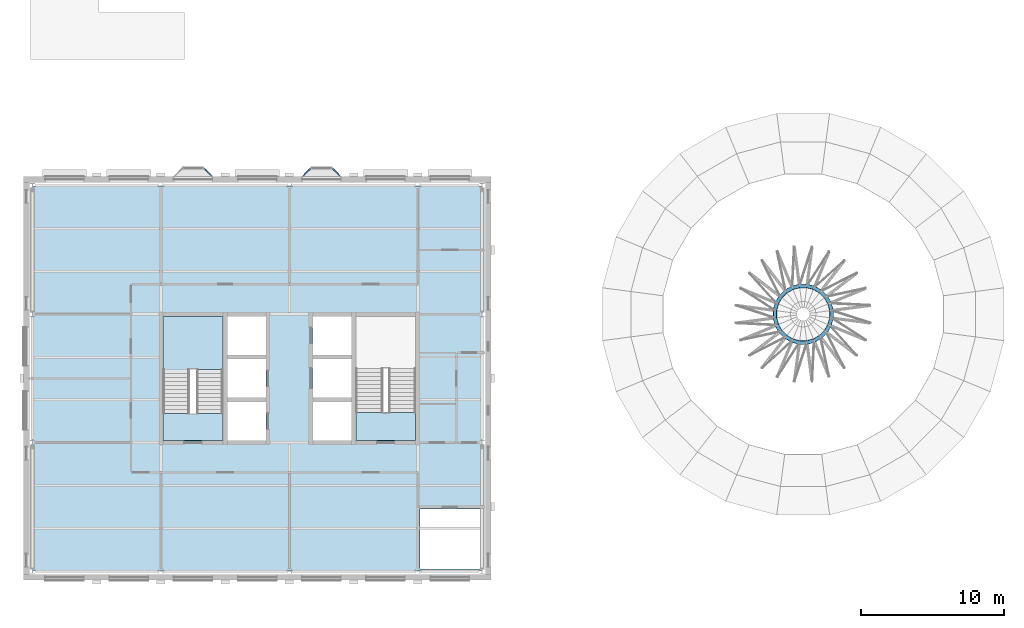
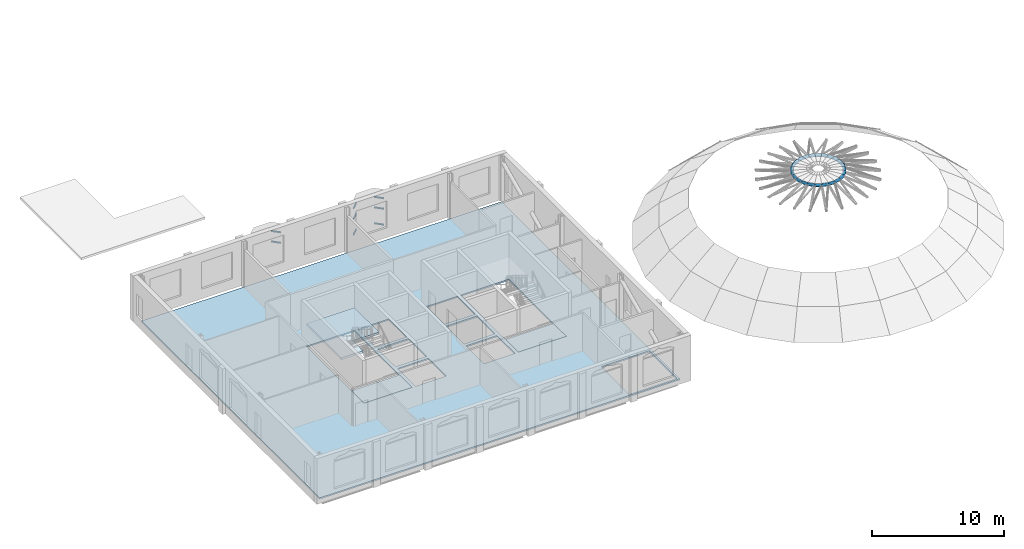
# One storey, part 4 of 15: 32 members, 4 slabs, 4 elements without a shape of their own.
"""IFC4 building model written with IfcOpenShell, lengths in metres."""

from ifc_helpers import new_model, si_unit, direction, frame, origin, origin_2d, place, context, subcontext, project, spatial, polyline, rectangle, hollow_circle, outline, extrude, material, layer, layer_set, material_profile, profile_set, type_object, element, aggregate, save


model = new_model("IFC4")

# Units and contexts
model_context = context("Model", 3, precision=1e-05, world=origin(), true_north=direction((0.0, 1.0)))
body_context = subcontext(model_context, "Body", "Model", "MODEL_VIEW")
ifc_project = project(units=[si_unit("LENGTHUNIT", "METRE"), si_unit("AREAUNIT", "SQUARE_METRE"), si_unit("VOLUMEUNIT", "CUBIC_METRE"), si_unit("PLANEANGLEUNIT", "RADIAN"), si_unit("MASSUNIT", "GRAM", prefix="KILO")], contexts=[model_context])

# Site, building, storey
site_placement = place(None, origin())
site = spatial("IfcSite", under=ifc_project, at=site_placement, CompositionType="ELEMENT")
building_placement = place(site_placement, origin())
building = spatial("IfcBuilding", under=site, at=building_placement, Name="Hortulan Conservatory and Botanical Research Centre", CompositionType="ELEMENT")
storey_placement = place(building_placement, frame((0.0, 0.0, 23.39990234375)))
storey = spatial("IfcBuildingStorey", under=building, at=storey_placement, Name="L05", CompositionType="ELEMENT", Elevation=23.39990234375)

# Curtain wall, members
ifc_material_1 = material(Name="Bronze-finished aluminium", Category="aluminium")
ifc_layer_1 = layer(ifc_material_1, 0.10009765625)
ifc_layer_set_1 = layer_set([ifc_layer_1], Name="Oriel Curtain Wall 1350 module")
curtain_wall_type = type_object("IfcCurtainWallType", Name="Oriel Curtain Wall 1350 module", PredefinedType="NOTDEFINED", material=ifc_layer_set_1)
curtain_wall_1_placement = place(storey_placement, origin())
curtain_wall_1 = element("IfcCurtainWall", 1, at=curtain_wall_1_placement, inside=storey, type_object=curtain_wall_type, Name="Oriel glazing", PredefinedType="NOTDEFINED")
ifc_material_profile_1 = material_profile(ifc_material_1, rectangle(XDim=0.06005859375, YDim=0.1201171875, at=origin_2d()), Name="Bronze Transom 60x120")
ifc_profile_set_1 = profile_set([ifc_material_profile_1], Name="Bronze-finished aluminium")
member_type_1 = type_object("IfcMemberType", Name="Bronze Transom 60x120", PredefinedType="USERDEFINED", material=ifc_profile_set_1)
member_1_placement = place(storey_placement, frame((12.04248046875, 28.193603515625, 2.400146484375), z_axis=(0.707106781187, -0.707106781187, 0.0), x_axis=(0.707106781187, 0.707106781187, 0.0)))
member_1 = element("IfcMember", 2, at=member_1_placement, type_object=member_type_1, Name="CW2 transom 1.2", ObjectType="TRANSOM", PredefinedType="USERDEFINED", context=body_context, shape_type="SweptSolid", body=[
    extrude(rectangle(XDim=0.06005859375, YDim=0.1201171875, at=origin_2d()), origin(), (0.0, 0.0, 1.0), 0.728515625),
])
member_2_placement = place(storey_placement, frame((12.04248046875, 28.193603515625, 3.3701171875), z_axis=(0.707106781187, -0.707106781187, 0.0), x_axis=(0.707106781187, 0.707106781187, 0.0)))
member_2 = element("IfcMember", 3, at=member_2_placement, type_object=member_type_1, Name="CW2 transom 1.3", ObjectType="TRANSOM", PredefinedType="USERDEFINED", context=body_context, shape_type="SweptSolid", body=[
    extrude(rectangle(XDim=0.06005859375, YDim=0.1201171875, at=origin_2d()), origin(), (0.0, 0.0, 1.0), 0.728515625),
])
aggregate(curtain_wall_1, [member_1, member_2])

curtain_wall_2_placement = place(storey_placement, origin())
curtain_wall_2 = element("IfcCurtainWall", 4, at=curtain_wall_2_placement, inside=storey, type_object=curtain_wall_type, Name="Oriel glazing", PredefinedType="NOTDEFINED")
member_3_placement = place(storey_placement, frame((18.9423828125, 27.678466796875, 0.93017578125), z_axis=(0.707106781187, 0.707106781187, 0.0), x_axis=(-0.707106781187, 0.707106781187, 0.0)))
member_3 = element("IfcMember", 5, at=member_3_placement, type_object=member_type_1, Name="CW2 transom 1.1", ObjectType="TRANSOM", PredefinedType="USERDEFINED", context=body_context, shape_type="SweptSolid", body=[
    extrude(rectangle(XDim=0.06005859375, YDim=0.1201171875, at=origin_2d()), origin(), (0.0, 0.0, 1.0), 0.728515625),
])
member_4_placement = place(storey_placement, frame((18.9423828125, 27.678466796875, 2.400146484375), z_axis=(0.707106781187, 0.707106781187, 0.0), x_axis=(-0.707106781187, 0.707106781187, 0.0)))
member_4 = element("IfcMember", 6, at=member_4_placement, type_object=member_type_1, Name="CW2 transom 1.2", ObjectType="TRANSOM", PredefinedType="USERDEFINED", context=body_context, shape_type="SweptSolid", body=[
    extrude(rectangle(XDim=0.06005859375, YDim=0.1201171875, at=origin_2d()), origin(), (0.0, 0.0, 1.0), 0.728515625),
])
member_5_placement = place(storey_placement, frame((18.9423828125, 27.678466796875, 3.3701171875), z_axis=(0.707106781187, 0.707106781187, 0.0), x_axis=(-0.707106781187, 0.707106781187, 0.0)))
member_5 = element("IfcMember", 7, at=member_5_placement, type_object=member_type_1, Name="CW2 transom 1.3", ObjectType="TRANSOM", PredefinedType="USERDEFINED", context=body_context, shape_type="SweptSolid", body=[
    extrude(rectangle(XDim=0.06005859375, YDim=0.1201171875, at=origin_2d()), origin(), (0.0, 0.0, 1.0), 0.728515625),
])
aggregate(curtain_wall_2, [member_3, member_4, member_5])

curtain_wall_3_placement = place(storey_placement, origin())
curtain_wall_3 = element("IfcCurtainWall", 8, at=curtain_wall_3_placement, inside=storey, type_object=curtain_wall_type, Name="Oriel glazing", PredefinedType="NOTDEFINED")
member_6_placement = place(storey_placement, frame((21.04248046875, 28.193603515625, 0.93017578125), z_axis=(0.707106781187, -0.707106781187, 0.0), x_axis=(0.707106781187, 0.707106781187, 0.0)))
member_6 = element("IfcMember", 9, at=member_6_placement, type_object=member_type_1, Name="CW2 transom 1.1", ObjectType="TRANSOM", PredefinedType="USERDEFINED", context=body_context, shape_type="SweptSolid", body=[
    extrude(rectangle(XDim=0.06005859375, YDim=0.1201171875, at=origin_2d()), origin(), (0.0, 0.0, 1.0), 0.728515625),
])
member_7_placement = place(storey_placement, frame((21.04248046875, 28.193603515625, 2.400146484375), z_axis=(0.707106781187, -0.707106781187, 0.0), x_axis=(0.707106781187, 0.707106781187, 0.0)))
member_7 = element("IfcMember", 10, at=member_7_placement, type_object=member_type_1, Name="CW2 transom 1.2", ObjectType="TRANSOM", PredefinedType="USERDEFINED", context=body_context, shape_type="SweptSolid", body=[
    extrude(rectangle(XDim=0.06005859375, YDim=0.1201171875, at=origin_2d()), origin(), (0.0, 0.0, 1.0), 0.728515625),
])
member_8_placement = place(storey_placement, frame((21.04248046875, 28.193603515625, 3.3701171875), z_axis=(0.707106781187, -0.707106781187, 0.0), x_axis=(0.707106781187, 0.707106781187, 0.0)))
member_8 = element("IfcMember", 11, at=member_8_placement, type_object=member_type_1, Name="CW2 transom 1.3", ObjectType="TRANSOM", PredefinedType="USERDEFINED", context=body_context, shape_type="SweptSolid", body=[
    extrude(rectangle(XDim=0.06005859375, YDim=0.1201171875, at=origin_2d()), origin(), (0.0, 0.0, 1.0), 0.728515625),
])
aggregate(curtain_wall_3, [member_6, member_7, member_8])

# Members
ifc_material_2 = material(Name="Steel Grade C350L0 (350 MPa, AS/NZS 1163)", Category="steel")
ifc_material_profile_2 = material_profile(ifc_material_2, hollow_circle(Radius=0.136474609375, WallThickness=0.00927734375, at=origin_2d()), Name="273.1x9.3CHS")
ifc_profile_set_2 = profile_set([ifc_material_profile_2], Name="Steel Grade C350L0 (350 MPa, AS/NZS 1163)")
member_type_2 = type_object("IfcMemberType", Name="Dome Crown Ring 273.1x9.3 CHS", PredefinedType="PURLIN", material=ifc_profile_set_2)
for number, where, z_axis, x_axis, name in (
    (12, (55.98291015625, 18.260986328125, 0.494384765625), (-0.258564690834, 0.965993944419, 0.0), (-0.965993944419, -0.258564690834, 0.0), "Dome crown ring chord 01"),
    (13, (55.847900390625, 18.765380859375, 0.494384765625), (-0.500262019077, 0.865874074141, 0.0), (-0.865874074141, -0.500262019077, 0.0), "Dome crown ring chord 02"),
):
    element("IfcMember", number, at=place(storey_placement, frame(where, z_axis=z_axis, x_axis=x_axis)), inside=storey, type_object=member_type_2, Name=name, PredefinedType="PURLIN", context=body_context, shape_type="SweptSolid", body=[
        extrude(hollow_circle(Radius=0.136474609375, WallThickness=0.00927734375, at=origin_2d()), origin(), (0.0, 0.0, 1.0), 0.522216796875),
    ])
member_9_placement = place(storey_placement, frame((55.586669921875, 19.217529296875, 0.494384765625), z_axis=(-0.707106781187, 0.707106781187, 0.0), x_axis=(-0.707106781187, -0.707106781187, 0.0)))
element("IfcMember", 14, at=member_9_placement, inside=storey, type_object=member_type_2, Name="Dome crown ring chord 03", PredefinedType="PURLIN", context=body_context, shape_type="SweptSolid", body=[
    extrude(hollow_circle(Radius=0.136474609375, WallThickness=0.00927734375, at=origin_2d()), origin(), (0.0, 0.0, 1.0), 0.52197265625),
])
for number, where, z_axis, x_axis, name in (
    (15, (55.217529296875, 19.586669921875, 0.494384765625), (-0.865874074141, 0.500262019077, 0.0), (-0.500262019077, -0.865874074141, 0.0), "Dome crown ring chord 04"),
    (16, (54.765380859375, 19.847900390625, 0.494384765625), (-0.965993944419, 0.258564690834, 0.0), (-0.258564690834, -0.965993944419, 0.0), "Dome crown ring chord 05"),
):
    element("IfcMember", number, at=place(storey_placement, frame(where, z_axis=z_axis, x_axis=x_axis)), inside=storey, type_object=member_type_2, Name=name, PredefinedType="PURLIN", context=body_context, shape_type="SweptSolid", body=[
        extrude(hollow_circle(Radius=0.136474609375, WallThickness=0.00927734375, at=origin_2d()), origin(), (0.0, 0.0, 1.0), 0.522216796875),
    ])
member_10_placement = place(storey_placement, frame((54.260986328125, 19.98291015625, 0.494384765625), z_axis=(-1.0, 0.0, 0.0), x_axis=(0.0, -1.0, 0.0)))
element("IfcMember", 17, at=member_10_placement, inside=storey, type_object=member_type_2, Name="Dome crown ring chord 06", PredefinedType="PURLIN", context=body_context, shape_type="SweptSolid", body=[
    extrude(hollow_circle(Radius=0.136474609375, WallThickness=0.00927734375, at=origin_2d()), origin(), (0.0, 0.0, 1.0), 0.52197265625),
])
for number, where, z_axis, x_axis, name in (
    (18, (53.739013671875, 19.98291015625, 0.494384765625), (-0.965993944419, -0.258564690834, 0.0), (0.258564690834, -0.965993944419, 0.0), "Dome crown ring chord 07"),
    (19, (53.234619140625, 19.847900390625, 0.494384765625), (-0.865874074141, -0.500262019077, 0.0), (0.500262019077, -0.865874074141, 0.0), "Dome crown ring chord 08"),
):
    element("IfcMember", number, at=place(storey_placement, frame(where, z_axis=z_axis, x_axis=x_axis)), inside=storey, type_object=member_type_2, Name=name, PredefinedType="PURLIN", context=body_context, shape_type="SweptSolid", body=[
        extrude(hollow_circle(Radius=0.136474609375, WallThickness=0.00927734375, at=origin_2d()), origin(), (0.0, 0.0, 1.0), 0.522216796875),
    ])
member_11_placement = place(storey_placement, frame((52.782470703125, 19.586669921875, 0.494384765625), z_axis=(-0.707106781187, -0.707106781187, 0.0), x_axis=(0.707106781187, -0.707106781187, 0.0)))
element("IfcMember", 20, at=member_11_placement, inside=storey, type_object=member_type_2, Name="Dome crown ring chord 09", PredefinedType="PURLIN", context=body_context, shape_type="SweptSolid", body=[
    extrude(hollow_circle(Radius=0.136474609375, WallThickness=0.00927734375, at=origin_2d()), origin(), (0.0, 0.0, 1.0), 0.52197265625),
])
for number, where, z_axis, x_axis, name in (
    (21, (52.413330078125, 19.217529296875, 0.494384765625), (-0.500262019077, -0.865874074141, 0.0), (0.865874074141, -0.500262019077, 0.0), "Dome crown ring chord 10"),
    (22, (52.152099609375, 18.765380859375, 0.494384765625), (-0.258564690834, -0.965993944419, 0.0), (0.965993944419, -0.258564690834, 0.0), "Dome crown ring chord 11"),
):
    element("IfcMember", number, at=place(storey_placement, frame(where, z_axis=z_axis, x_axis=x_axis)), inside=storey, type_object=member_type_2, Name=name, PredefinedType="PURLIN", context=body_context, shape_type="SweptSolid", body=[
        extrude(hollow_circle(Radius=0.136474609375, WallThickness=0.00927734375, at=origin_2d()), origin(), (0.0, 0.0, 1.0), 0.522216796875),
    ])
member_12_placement = place(storey_placement, frame((52.01708984375, 18.260986328125, 0.494384765625), z_axis=(0.0, -1.0, 0.0), x_axis=(1.0, 0.0, 0.0)))
element("IfcMember", 23, at=member_12_placement, inside=storey, type_object=member_type_2, Name="Dome crown ring chord 12", PredefinedType="PURLIN", context=body_context, shape_type="SweptSolid", body=[
    extrude(hollow_circle(Radius=0.136474609375, WallThickness=0.00927734375, at=origin_2d()), origin(), (0.0, 0.0, 1.0), 0.52197265625),
])
for number, where, z_axis, x_axis, name in (
    (24, (52.01708984375, 17.739013671875, 0.494384765625), (0.258564690834, -0.965993944419, 0.0), (0.965993944419, 0.258564690834, 0.0), "Dome crown ring chord 13"),
    (25, (52.152099609375, 17.234619140625, 0.494384765625), (0.500262019077, -0.865874074141, 0.0), (0.865874074141, 0.500262019077, 0.0), "Dome crown ring chord 14"),
):
    element("IfcMember", number, at=place(storey_placement, frame(where, z_axis=z_axis, x_axis=x_axis)), inside=storey, type_object=member_type_2, Name=name, PredefinedType="PURLIN", context=body_context, shape_type="SweptSolid", body=[
        extrude(hollow_circle(Radius=0.136474609375, WallThickness=0.00927734375, at=origin_2d()), origin(), (0.0, 0.0, 1.0), 0.522216796875),
    ])
member_13_placement = place(storey_placement, frame((52.413330078125, 16.782470703125, 0.494384765625), z_axis=(0.707106781187, -0.707106781187, 0.0), x_axis=(0.707106781187, 0.707106781187, 0.0)))
element("IfcMember", 26, at=member_13_placement, inside=storey, type_object=member_type_2, Name="Dome crown ring chord 15", PredefinedType="PURLIN", context=body_context, shape_type="SweptSolid", body=[
    extrude(hollow_circle(Radius=0.136474609375, WallThickness=0.00927734375, at=origin_2d()), origin(), (0.0, 0.0, 1.0), 0.52197265625),
])
for number, where, z_axis, x_axis, name in (
    (27, (52.782470703125, 16.413330078125, 0.494384765625), (0.865874074141, -0.500262019077, 0.0), (0.500262019077, 0.865874074141, 0.0), "Dome crown ring chord 16"),
    (28, (53.234619140625, 16.152099609375, 0.494384765625), (0.965993944419, -0.258564690834, 0.0), (0.258564690834, 0.965993944419, 0.0), "Dome crown ring chord 17"),
):
    element("IfcMember", number, at=place(storey_placement, frame(where, z_axis=z_axis, x_axis=x_axis)), inside=storey, type_object=member_type_2, Name=name, PredefinedType="PURLIN", context=body_context, shape_type="SweptSolid", body=[
        extrude(hollow_circle(Radius=0.136474609375, WallThickness=0.00927734375, at=origin_2d()), origin(), (0.0, 0.0, 1.0), 0.522216796875),
    ])
member_14_placement = place(storey_placement, frame((53.739013671875, 16.01708984375, 0.494384765625), z_axis=(1.0, 0.0, 0.0), x_axis=(0.0, 1.0, 0.0)))
element("IfcMember", 29, at=member_14_placement, inside=storey, type_object=member_type_2, Name="Dome crown ring chord 18", PredefinedType="PURLIN", context=body_context, shape_type="SweptSolid", body=[
    extrude(hollow_circle(Radius=0.136474609375, WallThickness=0.00927734375, at=origin_2d()), origin(), (0.0, 0.0, 1.0), 0.52197265625),
])
for number, where, z_axis, x_axis, name in (
    (30, (54.260986328125, 16.01708984375, 0.494384765625), (0.965993944419, 0.258564690834, 0.0), (-0.258564690834, 0.965993944419, 0.0), "Dome crown ring chord 19"),
    (31, (54.765380859375, 16.152099609375, 0.494384765625), (0.865874074141, 0.500262019077, 0.0), (-0.500262019077, 0.865874074141, 0.0), "Dome crown ring chord 20"),
):
    element("IfcMember", number, at=place(storey_placement, frame(where, z_axis=z_axis, x_axis=x_axis)), inside=storey, type_object=member_type_2, Name=name, PredefinedType="PURLIN", context=body_context, shape_type="SweptSolid", body=[
        extrude(hollow_circle(Radius=0.136474609375, WallThickness=0.00927734375, at=origin_2d()), origin(), (0.0, 0.0, 1.0), 0.522216796875),
    ])
member_15_placement = place(storey_placement, frame((55.217529296875, 16.413330078125, 0.494384765625), z_axis=(0.707106781187, 0.707106781187, 0.0), x_axis=(-0.707106781187, 0.707106781187, 0.0)))
element("IfcMember", 32, at=member_15_placement, inside=storey, type_object=member_type_2, Name="Dome crown ring chord 21", PredefinedType="PURLIN", context=body_context, shape_type="SweptSolid", body=[
    extrude(hollow_circle(Radius=0.136474609375, WallThickness=0.00927734375, at=origin_2d()), origin(), (0.0, 0.0, 1.0), 0.52197265625),
])
for number, where, z_axis, x_axis, name in (
    (33, (55.586669921875, 16.782470703125, 0.494384765625), (0.500262019077, 0.865874074141, 0.0), (-0.865874074141, 0.500262019077, 0.0), "Dome crown ring chord 22"),
    (34, (55.847900390625, 17.234619140625, 0.494384765625), (0.258564690834, 0.965993944419, 0.0), (-0.965993944419, 0.258564690834, 0.0), "Dome crown ring chord 23"),
):
    element("IfcMember", number, at=place(storey_placement, frame(where, z_axis=z_axis, x_axis=x_axis)), inside=storey, type_object=member_type_2, Name=name, PredefinedType="PURLIN", context=body_context, shape_type="SweptSolid", body=[
        extrude(hollow_circle(Radius=0.136474609375, WallThickness=0.00927734375, at=origin_2d()), origin(), (0.0, 0.0, 1.0), 0.522216796875),
    ])
member_16_placement = place(storey_placement, frame((55.98291015625, 17.739013671875, 0.494384765625), z_axis=(0.0, 1.0, 0.0), x_axis=(-1.0, 0.0, 0.0)))
element("IfcMember", 35, at=member_16_placement, inside=storey, type_object=member_type_2, Name="Dome crown ring chord 24", PredefinedType="PURLIN", context=body_context, shape_type="SweptSolid", body=[
    extrude(hollow_circle(Radius=0.136474609375, WallThickness=0.00927734375, at=origin_2d()), origin(), (0.0, 0.0, 1.0), 0.52197265625),
])

# Slab
ifc_material_3 = material(Name="Concrete N32 (32 MPa, AS 3600)", Category="concrete")
ifc_layer_2 = layer(ifc_material_3, 0.1298828125)
ifc_layer_set_2 = layer_set([ifc_layer_2], Name="Composite Floor Slab 130")
slab_type_1 = type_object("IfcSlabType", Name="Composite Floor Slab 130", PredefinedType="FLOOR", material=ifc_layer_set_2)
slab_1_placement = place(storey_placement, frame((0.0, 0.0, -0.1298828125)))
element("IfcSlab", 36, at=slab_1_placement, inside=storey, type_object=slab_type_1, Name="Floor slab", PredefinedType="FLOOR", context=body_context, shape_type="SweptSolid", body=[
    extrude(outline(polyline([(0.0, 0.0), (31.5, 0.0), (31.5, 27.0), (0.0, 27.0), (0.0, 0.0)]), holes=[polyline([(27.14990234375, 4.35009765625), (27.14990234375, 0.14990234375), (31.35009765625, 0.14990234375), (31.35009765625, 4.35009765625), (27.14990234375, 4.35009765625)]), polyline([(13.64990234375, 11.85009765625), (13.64990234375, 9.14990234375), (16.35009765625, 9.14990234375), (16.35009765625, 11.85009765625), (13.64990234375, 11.85009765625)]), polyline([(19.64990234375, 11.85009765625), (19.64990234375, 9.14990234375), (22.35009765625, 9.14990234375), (22.35009765625, 11.85009765625), (19.64990234375, 11.85009765625)]), polyline([(9.14990234375, 17.85009765625), (9.14990234375, 9.14990234375), (13.35009765625, 9.14990234375), (13.35009765625, 17.85009765625), (9.14990234375, 17.85009765625)]), polyline([(13.64990234375, 14.85009765625), (13.64990234375, 12.14990234375), (16.35009765625, 12.14990234375), (16.35009765625, 14.85009765625), (13.64990234375, 14.85009765625)]), polyline([(19.64990234375, 14.85009765625), (19.64990234375, 12.14990234375), (22.35009765625, 12.14990234375), (22.35009765625, 14.85009765625), (19.64990234375, 14.85009765625)]), polyline([(22.64990234375, 17.85009765625), (22.64990234375, 9.14990234375), (26.85009765625, 9.14990234375), (26.85009765625, 17.85009765625), (22.64990234375, 17.85009765625)]), polyline([(16.35009765625, 17.85009765625), (13.64990234375, 17.85009765625), (13.64990234375, 15.14990234375), (16.35009765625, 15.14990234375), (16.35009765625, 17.85009765625)]), polyline([(22.35009765625, 17.85009765625), (19.64990234375, 17.85009765625), (19.64990234375, 15.14990234375), (22.35009765625, 15.14990234375), (22.35009765625, 17.85009765625)])]), origin(), (0.0, 0.0, 1.0), 0.1298828125),
])

# Stair, slab
ifc_material_4 = material(Name="Concrete N40 (40 MPa, AS 3600)", Category="concrete")
stair_type = type_object("IfcStairType", Name="Concrete Escape Stair 1900", PredefinedType="HALF_TURN_STAIR", material=ifc_material_4)
stair_placement = place(storey_placement, origin())
stair = element("IfcStair", 37, at=stair_placement, inside=storey, type_object=stair_type, Name="Stair T1 L05", PredefinedType="HALF_TURN_STAIR")
ifc_layer_3 = layer(ifc_material_4, 0.199951171875)
ifc_layer_set_3 = layer_set([ifc_layer_3], Name="Stair Landing 200")
slab_type_2 = type_object("IfcSlabType", Name="Stair Landing 200", PredefinedType="LANDING", material=ifc_layer_set_3)
slab_2_placement = place(storey_placement, frame((0.0, 0.0, 1.900146484375)))
slab_2 = element("IfcSlab", 38, at=slab_2_placement, type_object=slab_type_2, Name="Stair T1 L05 half landing 1", PredefinedType="LANDING", context=body_context, shape_type="SweptSolid", body=[
    extrude(outline(polyline([(13.35009765625, 14.12939453125), (11.050048828125, 14.12939453125), (11.050048828125, 12.590087890625), (9.14990234375, 12.590087890625), (9.14990234375, 14.12939453125), (9.14990234375, 14.1298828125), (9.14990234375, 14.139892578125), (9.14990234375, 17.85009765625), (13.35009765625, 17.85009765625), (13.35009765625, 14.139892578125), (13.35009765625, 14.1298828125), (13.35009765625, 14.12939453125)])), origin(), (0.0, 0.0, 1.0), 0.199951171875),
])
aggregate(stair, [slab_2])

# Slabs
slab_3_placement = place(storey_placement, frame((0.0, 0.0, -0.199951171875)))
element("IfcSlab", 39, at=slab_3_placement, inside=storey, type_object=slab_type_2, Name="Stair T1 floor landing L05", PredefinedType="LANDING", context=body_context, shape_type="SweptSolid", body=[
    extrude(outline(polyline([(13.35009765625, 9.14990234375), (9.14990234375, 9.14990234375), (9.14990234375, 11.050048828125), (13.35009765625, 11.050048828125), (13.35009765625, 9.14990234375)])), origin(), (0.0, 0.0, 1.0), 0.199951171875),
])
slab_4_placement = place(storey_placement, frame((0.0, 0.0, -0.199951171875)))
element("IfcSlab", 40, at=slab_4_placement, inside=storey, type_object=slab_type_2, Name="Stair T2 floor landing L05", PredefinedType="LANDING", context=body_context, shape_type="SweptSolid", body=[
    extrude(outline(polyline([(26.85009765625, 9.14990234375), (22.64990234375, 9.14990234375), (22.64990234375, 11.10009765625), (26.85009765625, 11.10009765625), (26.85009765625, 9.14990234375)])), origin(), (0.0, 0.0, 1.0), 0.199951171875),
])

save(model, "model.ifc")
